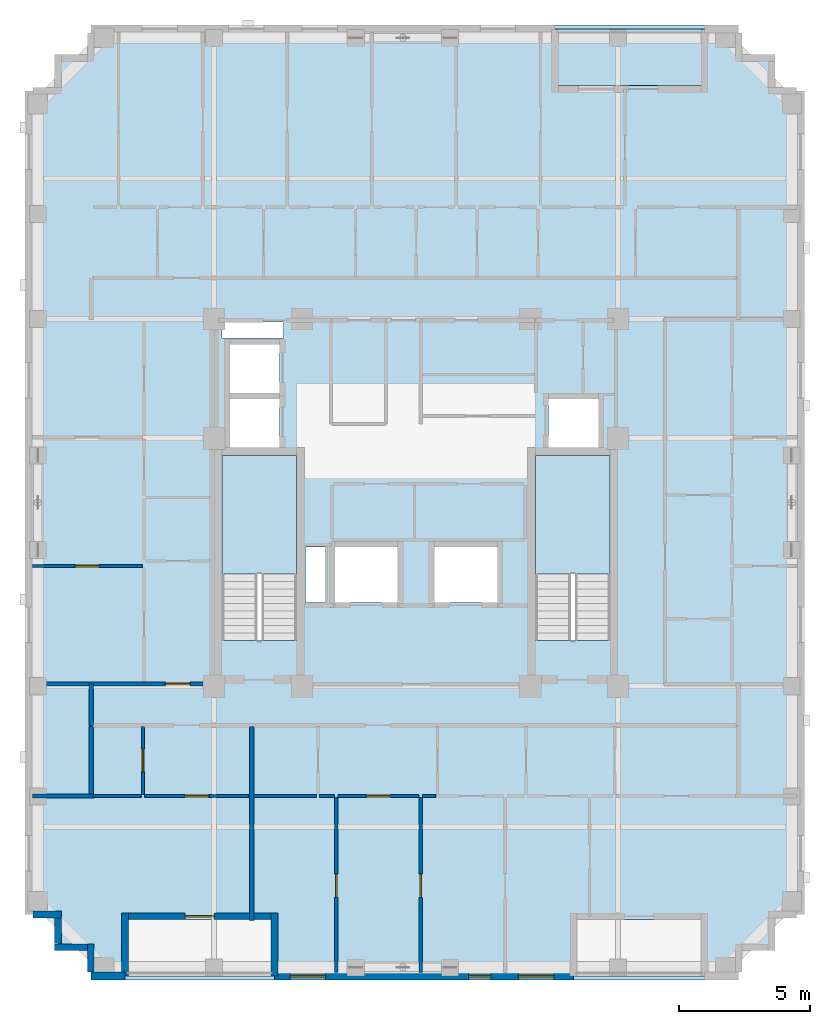
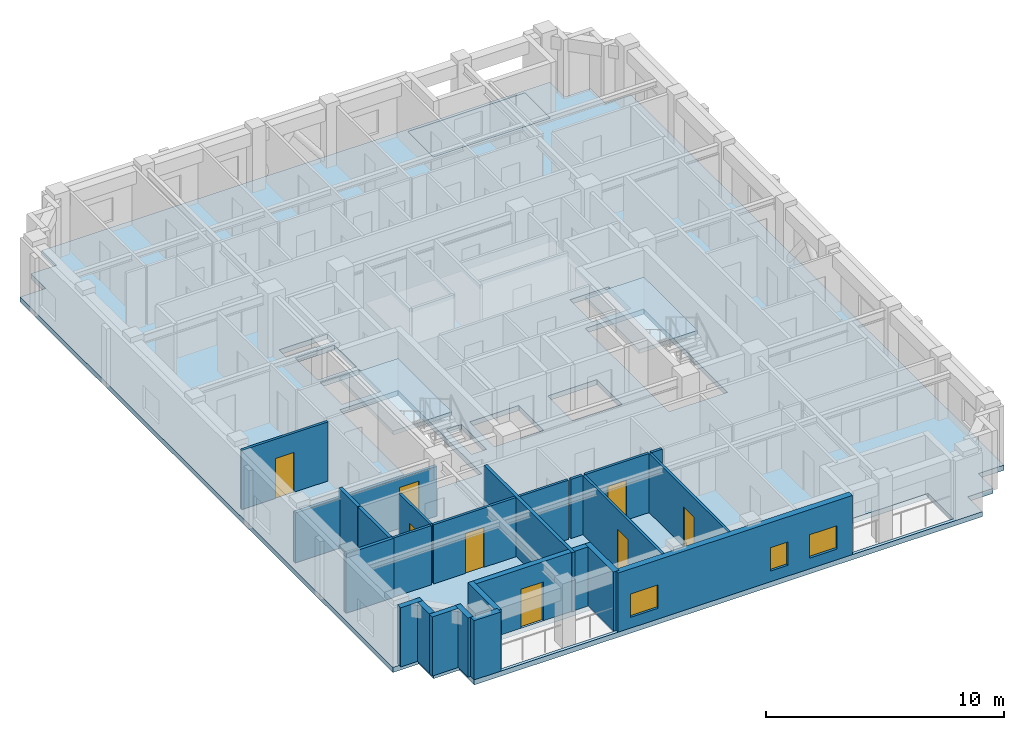
# One storey, part 2 of 11: 24 walls, 8 doors, 4 slabs, 3 windows, 11 openings, 2 elements without a shape of their own.
"""IFC4 building model written with IfcOpenShell, lengths in metres."""

from ifc_helpers import new_model, si_unit, derived_unit, direction, frame, frame_2d, origin, place, context, subcontext, project, spatial, polyline, rectangle, outline, extrude, material, layer, layer_set, type_object, element, fill, aggregate, save


model = new_model("IFC4")

# Units and contexts
model_context = context("Model", 3, precision=1e-05, world=origin(), true_north=direction((0.0, 1.0)))
body_context = subcontext(model_context, "Body", "Model", "MODEL_VIEW")
ifc_project = project(units=[si_unit("LENGTHUNIT", "METRE"), si_unit("AREAUNIT", "SQUARE_METRE"), si_unit("VOLUMEUNIT", "CUBIC_METRE"), si_unit("PLANEANGLEUNIT", "RADIAN"), si_unit("MASSUNIT", "GRAM", prefix="KILO"), derived_unit("THERMALTRANSMITTANCEUNIT", [(si_unit("MASSUNIT", "GRAM", prefix="KILO"), 1), (si_unit("TIMEUNIT", "SECOND"), -3), (si_unit("THERMODYNAMICTEMPERATUREUNIT", "KELVIN"), -1)])], contexts=[model_context])

# Site, building, storey
site_placement = place(None, origin())
site = spatial("IfcSite", under=ifc_project, at=site_placement, CompositionType="ELEMENT")
building_placement = place(site_placement, origin())
building = spatial("IfcBuilding", under=site, at=building_placement, Name="Korrvale Station Residences", CompositionType="ELEMENT")
storey_placement = place(building_placement, frame((0.0, 0.0, 194.199951171875)))
storey = spatial("IfcBuildingStorey", under=building, at=storey_placement, Name="L56", CompositionType="ELEMENT", Elevation=194.199951171875)

# Slabs
ifc_material_1 = material(Name="Concrete C50/60", Category="concrete")
ifc_layer_1 = layer(ifc_material_1, 0.219970703125, Name="Concrete C50/60")
ifc_layer_set_1 = layer_set([ifc_layer_1], Name="Concrete C50/60")
slab_type_1 = type_object("IfcSlabType", Name="SLB-BAL-220", PredefinedType="FLOOR", material=ifc_layer_set_1)
slab_1_placement = place(storey_placement, frame((0.0, 0.0, -0.219970703125)))
element("IfcSlab", 1, at=slab_1_placement, inside=storey, type_object=slab_type_1, Name="L56 Recessed Loggia Balcony Slab BAL-L56-N1", PredefinedType="FLOOR", context=body_context, shape_type="SweptSolid", body=[
    extrude(outline(polyline([(30.800048828125, 37.89990234375), (36.5, 37.89990234375), (36.5, 40.050048828125), (30.800048828125, 40.050048828125), (30.800048828125, 37.89990234375)])), origin(), (0.0, 0.0, 1.0), 0.219970703125),
])
ifc_layer_2 = layer(ifc_material_1, 0.260009765625, Name="Concrete C50/60")
ifc_layer_set_2 = layer_set([ifc_layer_2], Name="Concrete C50/60")
slab_type_2 = type_object("IfcSlabType", Name="SLB-FLR-260", PredefinedType="FLOOR", material=ifc_layer_set_2)
slab_2_placement = place(storey_placement, frame((0.0, 0.0, -0.260009765625)))
element("IfcSlab", 2, at=slab_2_placement, inside=storey, type_object=slab_type_2, Name="L56 Suspended Structural Floor Slab", PredefinedType="FLOOR", context=body_context, shape_type="SweptSolid", body=[
    extrude(outline(polyline([(13.10009765625, 3.800048828125), (37.800048828125, 3.800048828125), (37.800048828125, 5.050048828125), (39.050048828125, 5.050048828125), (39.050048828125, 6.300048828125), (40.300048828125, 6.300048828125), (40.300048828125, 37.699951171875), (39.050048828125, 37.699951171875), (39.050048828125, 38.949951171875), (37.800048828125, 38.949951171875), (37.800048828125, 40.199951171875), (13.10009765625, 40.199951171875), (13.10009765625, 38.949951171875), (11.85009765625, 38.949951171875), (11.85009765625, 37.699951171875), (10.60009765625, 37.699951171875), (10.60009765625, 6.300048828125), (11.85009765625, 6.300048828125), (11.85009765625, 5.050048828125), (13.10009765625, 5.050048828125), (13.10009765625, 3.800048828125)]), holes=[polyline([(20.949951171875, 16.751953125), (20.949951171875, 23.800048828125), (18.10009765625, 23.800048828125), (18.10009765625, 16.751953125), (20.949951171875, 16.751953125)]), polyline([(32.89990234375, 16.751953125), (32.89990234375, 23.800048828125), (30.050048828125, 23.800048828125), (30.050048828125, 16.751953125), (32.89990234375, 16.751953125)]), polyline([(18.39990234375, 24.10009765625), (20.300048828125, 24.10009765625), (20.300048828125, 25.949951171875), (18.39990234375, 25.949951171875), (18.39990234375, 24.10009765625)]), polyline([(18.39990234375, 26.169921875), (20.300048828125, 26.169921875), (20.300048828125, 28.02001953125), (18.39990234375, 28.02001953125), (18.39990234375, 26.169921875)]), polyline([(30.550048828125, 24.10009765625), (32.449951171875, 24.10009765625), (32.449951171875, 25.949951171875), (30.550048828125, 25.949951171875), (30.550048828125, 24.10009765625)]), polyline([(22.39990234375, 18.199951171875), (24.800048828125, 18.199951171875), (24.800048828125, 20.300048828125), (22.39990234375, 20.300048828125), (22.39990234375, 18.199951171875)]), polyline([(26.199951171875, 18.199951171875), (28.60009765625, 18.199951171875), (28.60009765625, 20.300048828125), (26.199951171875, 20.300048828125), (26.199951171875, 18.199951171875)]), polyline([(18.10009765625, 28.280029296875), (20.449951171875, 28.280029296875), (20.449951171875, 28.8798828125), (18.10009765625, 28.8798828125), (18.10009765625, 28.280029296875)]), polyline([(21.280029296875, 18.199951171875), (22.02001953125, 18.199951171875), (22.02001953125, 20.300048828125), (21.280029296875, 20.300048828125), (21.280029296875, 18.199951171875)]), polyline([(14.39990234375, 3.949951171875), (20.10009765625, 3.949951171875), (20.10009765625, 6.10009765625), (14.39990234375, 6.10009765625), (14.39990234375, 3.949951171875)]), polyline([(30.800048828125, 37.89990234375), (36.5, 37.89990234375), (36.5, 40.050048828125), (30.800048828125, 40.050048828125), (30.800048828125, 37.89990234375)]), polyline([(31.5, 3.949951171875), (36.5, 3.949951171875), (36.5, 6.10009765625), (31.5, 6.10009765625), (31.5, 3.949951171875)])]), origin(), (0.0, 0.0, 1.0), 0.260009765625),
])

# Stair, slab
stair_type = type_object("IfcStairType", Name="STR-DL-1350-20R-1650", PredefinedType="HALF_TURN_STAIR", material=ifc_material_1)
stair_1_placement = place(storey_placement, origin())
stair_1 = element("IfcStair", 3, at=stair_1_placement, inside=storey, type_object=stair_type, Name="L56 Exit Stair 1", PredefinedType="HALF_TURN_STAIR")
ifc_layer_3 = layer(ifc_material_1, 0.199951171875, Name="Concrete C50/60")
ifc_layer_set_3 = layer_set([ifc_layer_3], Name="Concrete C50/60")
slab_type_3 = type_object("IfcSlabType", Name="SLB-LND-200", PredefinedType="LANDING", material=ifc_layer_set_3)
slab_3_placement = place(storey_placement, frame((0.0, 0.0, 1.449951171875)))
slab_3 = element("IfcSlab", 4, at=slab_3_placement, type_object=slab_type_3, Name="ST-1 landing 1", PredefinedType="LANDING", context=body_context, shape_type="SweptSolid", body=[
    extrude(outline(polyline([(20.949951171875, 19.27001953125), (20.949951171875, 23.800048828125), (18.10009765625, 23.800048828125), (18.10009765625, 19.27001953125), (20.949951171875, 19.27001953125)])), origin(), (0.0, 0.0, 1.0), 0.2001953125),
])
aggregate(stair_1, [slab_3])

stair_2_placement = place(storey_placement, origin())
stair_2 = element("IfcStair", 5, at=stair_2_placement, inside=storey, type_object=stair_type, Name="L56 Exit Stair 2", PredefinedType="HALF_TURN_STAIR")
slab_4_placement = place(storey_placement, frame((0.0, 0.0, 1.449951171875)))
slab_4 = element("IfcSlab", 6, at=slab_4_placement, type_object=slab_type_3, Name="ST-2 landing 1", PredefinedType="LANDING", context=body_context, shape_type="SweptSolid", body=[
    extrude(outline(polyline([(32.89990234375, 19.27001953125), (32.89990234375, 23.800048828125), (30.050048828125, 23.800048828125), (30.050048828125, 19.27001953125), (32.89990234375, 19.27001953125)])), origin(), (0.0, 0.0, 1.0), 0.2001953125),
])
aggregate(stair_2, [slab_4])

# Wall
ifc_material_2 = material(Name="Precast concrete C45/55", Category="concrete")
ifc_layer_4 = layer(ifc_material_2, 0.260009765625, Name="Precast concrete C45/55")
ifc_layer_set_4 = layer_set([ifc_layer_4], Name="Precast concrete C45/55")
wall_type_1 = type_object("IfcWallType", Name="WAL-EXT-LOG260", PredefinedType="SOLIDWALL", material=ifc_layer_set_4)
wall_1_placement = place(storey_placement, frame((20.10009765625, 3.9599609375, 0.0), z_axis=(0.0, 0.0, 1.0), x_axis=(0.0, 1.0, 0.0)))
element("IfcWall", 7, at=wall_1_placement, inside=storey, type_object=wall_type_1, Name="L56 Recessed Loggia Wall BAL-L56-S1-L", PredefinedType="SOLIDWALL", context=body_context, shape_type="SweptSolid", body=[
    extrude(rectangle(XDim=2.400146484375, YDim=0.260009765625, at=frame_2d((1.2001953125, 0.0))), origin(), (0.0, 0.0, 1.0), 3.0400390625),
])

# Wall, opening, door
wall_2_placement = place(storey_placement, frame((19.966064453125, 6.22998046875, 0.0), z_axis=(0.0, 0.0, 1.0), x_axis=(-1.0, 0.0, 0.0)))
wall_2 = element("IfcWall", 8, at=wall_2_placement, inside=storey, type_object=wall_type_1, Name="L56 Recessed Loggia Wall BAL-L56-S1-B", PredefinedType="SOLIDWALL", context=body_context, shape_type="SweptSolid", body=[
    extrude(rectangle(XDim=5.43212890625, YDim=0.260009765625, at=frame_2d((2.716064453125, 0.0))), origin(), (0.0, 0.0, 1.0), 3.0400390625),
])
opening_1_placement = place(wall_2_placement, frame((2.166015625, 0.0, 0.0)))
opening_1 = element("IfcOpeningElement", 9, at=opening_1_placement, cuts=wall_2, Name="Opening BD-01", PredefinedType="OPENING", context=body_context, shape_type="SweptSolid", body=[
    extrude(rectangle(XDim=1.10009765625, YDim=2.0, at=frame_2d((0.550048828125, 1.0))), frame((0.0, 0.14013671875, 0.0), z_axis=(0.0, -1.0, 0.0), x_axis=(1.0, 0.0, 0.0)), (0.0, 0.0, 1.0), 0.280029296875),
])
ifc_material_3 = material(Name="Exterior thermally broken aluminium glazed balcony door", Category="aluminium")
door_type_1 = type_object("IfcDoorType", Name="DR-EXT-BAL", OperationType="NOTDEFINED", PredefinedType="DOOR", material=ifc_material_3)
door_1_placement = place(opening_1_placement, origin())
door_1 = element("IfcDoor", 10, at=door_1_placement, inside=storey, type_object=door_type_1, Name="L56 Loggia Balcony Door BAL-L56-S1", OperationType="SINGLE_SWING_RIGHT", OverallHeight=2.0, OverallWidth=1.10009765625, PredefinedType="DOOR", context=body_context, shape_type="SweptSolid", body=[
    extrude(rectangle(XDim=1.10009765625, YDim=2.0, at=frame_2d((0.550048828125, 1.0))), frame((0.0, 0.02490234375, 0.0), z_axis=(0.0, -1.0, 0.0), x_axis=(1.0, 0.0, 0.0)), (0.0, 0.0, 1.0), 0.050048828125),
])
fill(opening_1, door_1)

# Walls
wall_3_placement = place(storey_placement, frame((14.39990234375, 6.360107421875, 0.0), z_axis=(0.0, 0.0, 1.0), x_axis=(0.0, -1.0, 0.0)))
element("IfcWall", 11, at=wall_3_placement, inside=storey, type_object=wall_type_1, Name="L56 Recessed Loggia Wall BAL-L56-S1-R", PredefinedType="SOLIDWALL", context=body_context, shape_type="SweptSolid", body=[
    extrude(rectangle(XDim=2.400146484375, YDim=0.260009765625, at=frame_2d((1.2001953125, 0.0))), origin(), (0.0, 0.0, 1.0), 3.0400390625),
])
wall_4_placement = place(storey_placement, frame((13.10009765625, 4.10205078125, 0.0), z_axis=(0.0, 0.0, 1.0), x_axis=(0.0, 1.0, 0.0)))
element("IfcWall", 12, at=wall_4_placement, inside=storey, type_object=wall_type_1, Name="L56 Serrated Corner Precast Step SW-1", PredefinedType="SOLIDWALL", context=body_context, shape_type="SweptSolid", body=[
    extrude(rectangle(XDim=1.077880859375, YDim=0.260009765625, at=frame_2d((0.5390625, 0.0))), origin(), (0.0, 0.0, 1.0), 3.0400390625),
])
wall_5_placement = place(storey_placement, frame((12.968017578125, 5.050048828125, 0.0), z_axis=(0.0, 0.0, 1.0), x_axis=(-1.0, 0.0, 0.0)))
element("IfcWall", 13, at=wall_5_placement, inside=storey, type_object=wall_type_1, Name="L56 Serrated Corner Precast Step SW-2", PredefinedType="SOLIDWALL", context=body_context, shape_type="SweptSolid", body=[
    extrude(rectangle(XDim=1.248046875, YDim=0.260009765625, at=frame_2d((0.6240234375, 0.0))), origin(), (0.0, 0.0, 1.0), 3.0400390625),
])
wall_6_placement = place(storey_placement, frame((11.85009765625, 5.181884765625, 0.0), z_axis=(0.0, 0.0, 1.0), x_axis=(0.0, 1.0, 0.0)))
element("IfcWall", 14, at=wall_6_placement, inside=storey, type_object=wall_type_1, Name="L56 Serrated Corner Precast Step SW-3", PredefinedType="SOLIDWALL", context=body_context, shape_type="SweptSolid", body=[
    extrude(rectangle(XDim=0.986083984375, YDim=0.260009765625, at=frame_2d((0.4931640625, 0.0))), origin(), (0.0, 0.0, 1.0), 3.0400390625),
])
wall_7_placement = place(storey_placement, frame((11.97998046875, 6.300048828125, 0.0), z_axis=(0.0, 0.0, 1.0), x_axis=(-1.0, 0.0, 0.0)))
element("IfcWall", 15, at=wall_7_placement, inside=storey, type_object=wall_type_1, Name="L56 Serrated Corner Precast Step SW-4", PredefinedType="SOLIDWALL", context=body_context, shape_type="SweptSolid", body=[
    extrude(rectangle(XDim=1.077880859375, YDim=0.260009765625, at=frame_2d((0.5390625, 0.0))), origin(), (0.0, 0.0, 1.0), 3.0400390625),
])

# Wall, openings, windows
ifc_layer_5 = layer(ifc_material_2, 0.300048828125, Name="Precast concrete C45/55")
ifc_layer_set_5 = layer_set([ifc_layer_5], Name="Precast concrete C45/55")
wall_type_2 = type_object("IfcWallType", Name="WAL-EXT-PC300", PredefinedType="SOLIDWALL", material=ifc_layer_set_5)
wall_8_placement = place(storey_placement, frame((31.5, 3.949951171875, 0.0), z_axis=(0.0, 0.0, 1.0), x_axis=(-1.0, 0.0, 0.0)))
wall_8 = element("IfcWall", 16, at=wall_8_placement, inside=storey, type_object=wall_type_2, Name="L56 South Exterior Precast Wall 2", PredefinedType="SOLIDWALL", context=body_context, shape_type="SweptSolid", body=[
    extrude(rectangle(XDim=11.39990234375, YDim=0.300048828125, at=frame_2d((5.699951171875, 0.0))), origin(), (0.0, 0.0, 1.0), 3.0400390625),
])
opening_2_placement = place(wall_8_placement, frame((9.449951171875, 0.0, 0.550048828125)))
opening_2 = element("IfcOpeningElement", 17, at=opening_2_placement, cuts=wall_8, Name="Opening W-10", PredefinedType="OPENING", context=body_context, shape_type="SweptSolid", body=[
    extrude(rectangle(XDim=1.35009765625, YDim=1.199951171875, at=frame_2d((0.675048828125, 0.60009765625))), frame((0.0, 0.16015625, 0.0), z_axis=(0.0, -1.0, 0.0), x_axis=(1.0, 0.0, 0.0)), (0.0, 0.0, 1.0), 0.320068359375),
])
opening_3_placement = place(wall_8_placement, frame((3.14990234375, 0.0, 0.550048828125)))
opening_3 = element("IfcOpeningElement", 18, at=opening_3_placement, cuts=wall_8, Name="Opening W-11", PredefinedType="OPENING", context=body_context, shape_type="SweptSolid", body=[
    extrude(rectangle(XDim=0.85009765625, YDim=1.199951171875, at=frame_2d((0.425048828125, 0.60009765625))), frame((0.0, 0.16015625, 0.0), z_axis=(0.0, -1.0, 0.0), x_axis=(1.0, 0.0, 0.0)), (0.0, 0.0, 1.0), 0.320068359375),
])
opening_4_placement = place(wall_8_placement, frame((0.75, 0.0, 0.550048828125)))
opening_4 = element("IfcOpeningElement", 19, at=opening_4_placement, cuts=wall_8, Name="Opening W-10", PredefinedType="OPENING", context=body_context, shape_type="SweptSolid", body=[
    extrude(rectangle(XDim=1.35009765625, YDim=1.199951171875, at=frame_2d((0.675048828125, 0.60009765625))), frame((0.0, 0.16015625, 0.0), z_axis=(0.0, -1.0, 0.0), x_axis=(1.0, 0.0, 0.0)), (0.0, 0.0, 1.0), 0.320068359375),
])
ifc_material_4 = material(Name="Thermally broken aluminium frame with triple low-e glazing", Category="aluminium")
window_type_1 = type_object("IfcWindowType", Name="WIN-W10", PartitioningType="SINGLE_PANEL", PredefinedType="WINDOW", material=ifc_material_4)
window_1_placement = place(opening_2_placement, origin())
window_1 = element("IfcWindow", 20, at=window_1_placement, inside=storey, type_object=window_type_1, Name="L56 Punched Window 02", OverallHeight=1.199951171875, OverallWidth=1.35009765625, PartitioningType="SINGLE_PANEL", PredefinedType="WINDOW", context=body_context, shape_type="SweptSolid", body=[
    extrude(rectangle(XDim=1.35009765625, YDim=1.199951171875, at=frame_2d((0.675048828125, 0.60009765625))), frame((0.0, 0.030029296875, 0.0), z_axis=(0.0, -1.0, 0.0), x_axis=(1.0, 0.0, 0.0)), (0.0, 0.0, 1.0), 0.06005859375),
])
fill(opening_2, window_1)
window_2_placement = place(opening_4_placement, origin())
window_2 = element("IfcWindow", 21, at=window_2_placement, inside=storey, type_object=window_type_1, Name="L56 Punched Window 04", OverallHeight=1.199951171875, OverallWidth=1.35009765625, PartitioningType="SINGLE_PANEL", PredefinedType="WINDOW", context=body_context, shape_type="SweptSolid", body=[
    extrude(rectangle(XDim=1.35009765625, YDim=1.199951171875, at=frame_2d((0.675048828125, 0.60009765625))), frame((0.0, 0.030029296875, 0.0), z_axis=(0.0, -1.0, 0.0), x_axis=(1.0, 0.0, 0.0)), (0.0, 0.0, 1.0), 0.06005859375),
])
fill(opening_4, window_2)
window_type_2 = type_object("IfcWindowType", Name="WIN-W11", PartitioningType="SINGLE_PANEL", PredefinedType="WINDOW", material=ifc_material_4)
window_3_placement = place(opening_3_placement, origin())
window_3 = element("IfcWindow", 22, at=window_3_placement, inside=storey, type_object=window_type_2, Name="L56 Punched Window 03", OverallHeight=1.199951171875, OverallWidth=0.85009765625, PartitioningType="SINGLE_PANEL", PredefinedType="WINDOW", context=body_context, shape_type="SweptSolid", body=[
    extrude(rectangle(XDim=0.85009765625, YDim=1.199951171875, at=frame_2d((0.425048828125, 0.60009765625))), frame((0.0, 0.030029296875, 0.0), z_axis=(0.0, -1.0, 0.0), x_axis=(1.0, 0.0, 0.0)), (0.0, 0.0, 1.0), 0.06005859375),
])
fill(opening_3, window_3)

# Wall
wall_9_placement = place(storey_placement, frame((14.39990234375, 3.949951171875, 0.0), z_axis=(0.0, 0.0, 1.0), x_axis=(-1.0, 0.0, 0.0)))
element("IfcWall", 23, at=wall_9_placement, inside=storey, type_object=wall_type_2, Name="L56 South Exterior Precast Wall 3", PredefinedType="SOLIDWALL", context=body_context, shape_type="SweptSolid", body=[
    extrude(rectangle(XDim=1.2998046875, YDim=0.300048828125, at=frame_2d((0.64990234375, 0.0))), origin(), (0.0, 0.0, 1.0), 3.0400390625),
])

# Wall, opening, door
ifc_material_5 = material(Name="Acoustic steel-stud gypsum board partition", Category="steel")
ifc_layer_6 = layer(ifc_material_5, 0.1201171875, Name="Acoustic steel-stud gypsum board partition")
ifc_layer_set_6 = layer_set([ifc_layer_6], Name="Acoustic steel-stud gypsum board partition")
wall_type_3 = type_object("IfcWallType", Name="WAL-PART-125", PredefinedType="PARTITIONING", material=ifc_layer_set_6)
wall_10_placement = place(storey_placement, frame((15.090087890625, 10.8701171875, 0.0), z_axis=(0.0, 0.0, 1.0), x_axis=(0.0, 1.0, 0.0)))
wall_10 = element("IfcWall", 24, at=wall_10_placement, inside=storey, type_object=wall_type_3, Name="L56 Suite Partition U01-V01", PredefinedType="PARTITIONING", context=body_context, shape_type="SweptSolid", body=[
    extrude(rectangle(XDim=2.599853515625, YDim=0.1201171875, at=frame_2d((1.2998046875, 0.0))), origin(), (0.0, 0.0, 1.0), 3.0400390625),
])
opening_5_placement = place(wall_10_placement, frame((0.8701171875, 0.0, 0.0)))
opening_5 = element("IfcOpeningElement", 25, at=opening_5_placement, cuts=wall_10, Name="Opening DB-860", PredefinedType="OPENING", context=body_context, shape_type="SweptSolid", body=[
    extrude(rectangle(XDim=0.860107421875, YDim=2.050048828125, at=frame_2d((0.43017578125, 1.02490234375))), frame((0.0, 0.070068359375, 0.0), z_axis=(0.0, -1.0, 0.0), x_axis=(1.0, 0.0, 0.0)), (0.0, 0.0, 1.0), 0.14013671875),
])
ifc_material_6 = material(Name="Moisture-resistant solid-core bathroom door", Category="timber")
door_type_2 = type_object("IfcDoorType", Name="DR-BATH-860", OperationType="NOTDEFINED", PredefinedType="DOOR", material=ifc_material_6)
door_2_placement = place(opening_5_placement, origin())
door_2 = element("IfcDoor", 26, at=door_2_placement, inside=storey, type_object=door_type_2, Name="L56 Studio Apartment L56-U01 Bathroom Door", OperationType="SINGLE_SWING_LEFT", OverallHeight=2.050048828125, OverallWidth=0.860107421875, PredefinedType="DOOR", context=body_context, shape_type="SweptSolid", body=[
    extrude(rectangle(XDim=0.860107421875, YDim=2.050048828125, at=frame_2d((0.43017578125, 1.02490234375))), frame((0.0, 0.02490234375, 0.0), z_axis=(0.0, -1.0, 0.0), x_axis=(1.0, 0.0, 0.0)), (0.0, 0.0, 1.0), 0.050048828125),
])
fill(opening_5, door_2)

# Wall
wall_11_placement = place(storey_placement, frame((13.179931640625, 10.81005859375, 0.0), z_axis=(0.0, 0.0, 1.0), x_axis=(1.0, 0.0, 0.0)))
element("IfcWall", 27, at=wall_11_placement, inside=storey, type_object=wall_type_3, Name="L56 Suite Partition U01-H02", PredefinedType="PARTITIONING", context=body_context, shape_type="SweptSolid", body=[
    extrude(rectangle(XDim=1.85009765625, YDim=0.1201171875, at=frame_2d((0.925048828125, 0.0))), origin(), (0.0, 0.0, 1.0), 3.0400390625),
])

# Wall, opening, door
wall_12_placement = place(storey_placement, frame((15.14990234375, 10.81005859375, 0.0), z_axis=(0.0, 0.0, 1.0), x_axis=(1.0, 0.0, 0.0)))
wall_12 = element("IfcWall", 28, at=wall_12_placement, inside=storey, type_object=wall_type_3, Name="L56 Suite Partition U01-H12", PredefinedType="PARTITIONING", context=body_context, shape_type="SweptSolid", body=[
    extrude(rectangle(XDim=3.989013671875, YDim=0.1201171875, at=frame_2d((1.99462890625, 0.0))), origin(), (0.0, 0.0, 1.0), 3.0400390625),
])
opening_6_placement = place(wall_12_placement, frame((1.5439453125, 0.0, 0.0)))
opening_6 = element("IfcOpeningElement", 29, at=opening_6_placement, cuts=wall_12, Name="Opening DI-900", PredefinedType="OPENING", context=body_context, shape_type="SweptSolid", body=[
    extrude(rectangle(XDim=0.89990234375, YDim=2.050048828125, at=frame_2d((0.449951171875, 1.02490234375))), frame((0.0, 0.070068359375, 0.0), z_axis=(0.0, -1.0, 0.0), x_axis=(1.0, 0.0, 0.0)), (0.0, 0.0, 1.0), 0.14013671875),
])
ifc_material_7 = material(Name="Painted solid-core timber interior room door", Category="wood")
door_type_3 = type_object("IfcDoorType", Name="DR-INT-900", OperationType="NOTDEFINED", PredefinedType="DOOR", material=ifc_material_7)
door_3_placement = place(opening_6_placement, origin())
door_3 = element("IfcDoor", 30, at=door_3_placement, inside=storey, type_object=door_type_3, Name="L56 Studio Apartment L56-U01 Kitchen Door", OperationType="SINGLE_SWING_RIGHT", OverallHeight=2.050048828125, OverallWidth=0.89990234375, PredefinedType="DOOR", context=body_context, shape_type="SweptSolid", body=[
    extrude(rectangle(XDim=0.89990234375, YDim=2.050048828125, at=frame_2d((0.449951171875, 1.02490234375))), frame((0.0, 0.02490234375, 0.0), z_axis=(0.0, -1.0, 0.0), x_axis=(1.0, 0.0, 0.0)), (0.0, 0.0, 1.0), 0.050048828125),
])
fill(opening_6, door_3)

# Walls
wall_13_placement = place(storey_placement, frame((19.299072265625, 10.81005859375, 0.0), z_axis=(0.0, 0.0, 1.0), x_axis=(1.0, 0.0, 0.0)))
element("IfcWall", 31, at=wall_13_placement, inside=storey, type_object=wall_type_3, Name="L56 Suite Partition U02-H05", PredefinedType="PARTITIONING", context=body_context, shape_type="SweptSolid", body=[
    extrude(rectangle(XDim=2.39990234375, YDim=0.1201171875, at=frame_2d((1.199951171875, 0.0))), origin(), (0.0, 0.0, 1.0), 3.0400390625),
])
wall_14_placement = place(storey_placement, frame((21.819091796875, 10.81005859375, 0.0), z_axis=(0.0, 0.0, 1.0), x_axis=(1.0, 0.0, 0.0)))
element("IfcWall", 32, at=wall_14_placement, inside=storey, type_object=wall_type_3, Name="L56 Suite Partition U02-H15", PredefinedType="PARTITIONING", context=body_context, shape_type="SweptSolid", body=[
    extrude(rectangle(XDim=0.579833984375, YDim=0.1201171875, at=frame_2d((0.2900390625, 0.0))), origin(), (0.0, 0.0, 1.0), 3.0400390625),
])

# Wall, opening, door
wall_15_placement = place(storey_placement, frame((22.51904296875, 10.81005859375, 0.0), z_axis=(0.0, 0.0, 1.0), x_axis=(1.0, 0.0, 0.0)))
wall_15 = element("IfcWall", 33, at=wall_15_placement, inside=storey, type_object=wall_type_3, Name="L56 Suite Partition U02-H16", PredefinedType="PARTITIONING", context=body_context, shape_type="SweptSolid", body=[
    extrude(rectangle(XDim=3.099853515625, YDim=0.1201171875, at=frame_2d((1.5498046875, 0.0))), origin(), (0.0, 0.0, 1.0), 3.0400390625),
])
opening_7_placement = place(wall_15_placement, frame((1.10009765625, 0.0, 0.0)))
opening_7 = element("IfcOpeningElement", 34, at=opening_7_placement, cuts=wall_15, Name="Opening DI-900", PredefinedType="OPENING", context=body_context, shape_type="SweptSolid", body=[
    extrude(rectangle(XDim=0.89990234375, YDim=2.050048828125, at=frame_2d((0.449951171875, 1.02490234375))), frame((0.0, 0.070068359375, 0.0), z_axis=(0.0, -1.0, 0.0), x_axis=(1.0, 0.0, 0.0)), (0.0, 0.0, 1.0), 0.14013671875),
])
door_4_placement = place(opening_7_placement, origin())
door_4 = element("IfcDoor", 35, at=door_4_placement, inside=storey, type_object=door_type_3, Name="L56 Studio Apartment L56-U02 Kitchen Door", OperationType="SINGLE_SWING_LEFT", OverallHeight=2.050048828125, OverallWidth=0.89990234375, PredefinedType="DOOR", context=body_context, shape_type="SweptSolid", body=[
    extrude(rectangle(XDim=0.89990234375, YDim=2.050048828125, at=frame_2d((0.449951171875, 1.02490234375))), frame((0.0, 0.02490234375, 0.0), z_axis=(0.0, -1.0, 0.0), x_axis=(1.0, 0.0, 0.0)), (0.0, 0.0, 1.0), 0.050048828125),
])
fill(opening_7, door_4)

# Wall
wall_16_placement = place(storey_placement, frame((25.739013671875, 10.81005859375, 0.0), z_axis=(0.0, 0.0, 1.0), x_axis=(1.0, 0.0, 0.0)))
element("IfcWall", 36, at=wall_16_placement, inside=storey, type_object=wall_type_3, Name="L56 Suite Partition U02-H17", PredefinedType="PARTITIONING", context=body_context, shape_type="SweptSolid", body=[
    extrude(rectangle(XDim=0.52001953125, YDim=0.1201171875, at=frame_2d((0.260009765625, 0.0))), origin(), (0.0, 0.0, 1.0), 3.0400390625),
])

# Wall, opening, door
wall_17_placement = place(storey_placement, frame((22.458984375, 4.080078125, 0.0), z_axis=(0.0, 0.0, 1.0), x_axis=(0.0, 1.0, 0.0)))
wall_17 = element("IfcWall", 37, at=wall_17_placement, inside=storey, type_object=wall_type_3, Name="L56 Suite Partition U02-V56", PredefinedType="PARTITIONING", context=body_context, shape_type="SweptSolid", body=[
    extrude(rectangle(XDim=6.669921875, YDim=0.1201171875, at=frame_2d((3.3349609375, 0.0))), origin(), (0.0, 0.0, 1.0), 3.0400390625),
])
opening_8_placement = place(wall_17_placement, frame((2.8701171875, 0.0, 0.0)))
opening_8 = element("IfcOpeningElement", 38, at=opening_8_placement, cuts=wall_17, Name="Opening DI-900", PredefinedType="OPENING", context=body_context, shape_type="SweptSolid", body=[
    extrude(rectangle(XDim=0.89990234375, YDim=2.050048828125, at=frame_2d((0.449951171875, 1.02490234375))), frame((0.0, 0.070068359375, 0.0), z_axis=(0.0, -1.0, 0.0), x_axis=(1.0, 0.0, 0.0)), (0.0, 0.0, 1.0), 0.14013671875),
])
door_5_placement = place(opening_8_placement, origin())
door_5 = element("IfcDoor", 39, at=door_5_placement, inside=storey, type_object=door_type_3, Name="L56 Studio Apartment L56-U02 Formal Dining Room Door", OperationType="SINGLE_SWING_LEFT", OverallHeight=2.050048828125, OverallWidth=0.89990234375, PredefinedType="DOOR", context=body_context, shape_type="SweptSolid", body=[
    extrude(rectangle(XDim=0.89990234375, YDim=2.050048828125, at=frame_2d((0.449951171875, 1.02490234375))), frame((0.0, 0.02490234375, 0.0), z_axis=(0.0, -1.0, 0.0), x_axis=(1.0, 0.0, 0.0)), (0.0, 0.0, 1.0), 0.050048828125),
])
fill(opening_8, door_5)

wall_18_placement = place(storey_placement, frame((25.678955078125, 4.080078125, 0.0), z_axis=(0.0, 0.0, 1.0), x_axis=(0.0, 1.0, 0.0)))
wall_18 = element("IfcWall", 40, at=wall_18_placement, inside=storey, type_object=wall_type_3, Name="L56 Suite Partition U02-V67", PredefinedType="PARTITIONING", context=body_context, shape_type="SweptSolid", body=[
    extrude(rectangle(XDim=6.669921875, YDim=0.1201171875, at=frame_2d((3.3349609375, 0.0))), origin(), (0.0, 0.0, 1.0), 3.0400390625),
])
opening_9_placement = place(wall_18_placement, frame((2.8701171875, 0.0, 0.0)))
opening_9 = element("IfcOpeningElement", 41, at=opening_9_placement, cuts=wall_18, Name="Opening DI-900", PredefinedType="OPENING", context=body_context, shape_type="SweptSolid", body=[
    extrude(rectangle(XDim=0.89990234375, YDim=2.050048828125, at=frame_2d((0.449951171875, 1.02490234375))), frame((0.0, 0.070068359375, 0.0), z_axis=(0.0, -1.0, 0.0), x_axis=(1.0, 0.0, 0.0)), (0.0, 0.0, 1.0), 0.14013671875),
])
door_6_placement = place(opening_9_placement, origin())
door_6 = element("IfcDoor", 42, at=door_6_placement, inside=storey, type_object=door_type_3, Name="L56 Studio Apartment L56-U02 Walk-In Wardrobe Door", OperationType="SINGLE_SWING_RIGHT", OverallHeight=2.050048828125, OverallWidth=0.89990234375, PredefinedType="DOOR", context=body_context, shape_type="SweptSolid", body=[
    extrude(rectangle(XDim=0.89990234375, YDim=2.050048828125, at=frame_2d((0.449951171875, 1.02490234375))), frame((0.0, 0.02490234375, 0.0), z_axis=(0.0, -1.0, 0.0), x_axis=(1.0, 0.0, 0.0)), (0.0, 0.0, 1.0), 0.050048828125),
])
fill(opening_9, door_6)

wall_19_placement = place(storey_placement, frame((10.8798828125, 19.577880859375, 0.0), z_axis=(0.0, 0.0, 1.0), x_axis=(1.0, 0.0, 0.0)))
wall_19 = element("IfcWall", 43, at=wall_19_placement, inside=storey, type_object=wall_type_3, Name="L56 Suite Partition U04-H34", PredefinedType="PARTITIONING", context=body_context, shape_type="SweptSolid", body=[
    extrude(rectangle(XDim=4.190185546875, YDim=0.1201171875, at=frame_2d((2.09521484375, 0.0))), origin(), (0.0, 0.0, 1.0), 3.0400390625),
])
opening_10_placement = place(wall_19_placement, frame((1.6298828125, 0.0, 0.0)))
opening_10 = element("IfcOpeningElement", 44, at=opening_10_placement, cuts=wall_19, Name="Opening DI-900", PredefinedType="OPENING", context=body_context, shape_type="SweptSolid", body=[
    extrude(rectangle(XDim=0.89990234375, YDim=2.050048828125, at=frame_2d((0.449951171875, 1.02490234375))), frame((0.0, 0.070068359375, 0.0), z_axis=(0.0, -1.0, 0.0), x_axis=(1.0, 0.0, 0.0)), (0.0, 0.0, 1.0), 0.14013671875),
])
door_7_placement = place(opening_10_placement, origin())
door_7 = element("IfcDoor", 45, at=door_7_placement, inside=storey, type_object=door_type_3, Name="L56 Apartment 2BR L56-U04 Bedroom 1 Door", OperationType="SINGLE_SWING_RIGHT", OverallHeight=2.050048828125, OverallWidth=0.89990234375, PredefinedType="DOOR", context=body_context, shape_type="SweptSolid", body=[
    extrude(rectangle(XDim=0.89990234375, YDim=2.050048828125, at=frame_2d((0.449951171875, 1.02490234375))), frame((0.0, 0.02490234375, 0.0), z_axis=(0.0, -1.0, 0.0), x_axis=(1.0, 0.0, 0.0)), (0.0, 0.0, 1.0), 0.050048828125),
])
fill(opening_10, door_7)

# Walls
ifc_material_8 = material(Name="Fire-rated twin-stud gypsum and mineral wool shaftwall assembly", Category="gypsum")
ifc_layer_7 = layer(ifc_material_8, 0.159912109375, Name="Fire-rated twin-stud gypsum and mineral wool shaftwall assembly")
ifc_layer_set_7 = layer_set([ifc_layer_7], Name="Fire-rated twin-stud gypsum and mineral wool shaftwall assembly")
wall_type_4 = type_object("IfcWallType", Name="WAL-PART-200", PredefinedType="PARTITIONING", material=ifc_layer_set_7)
wall_20_placement = place(storey_placement, frame((13.1201171875, 13.510009765625, 0.0), z_axis=(0.0, 0.0, 1.0), x_axis=(0.0, 1.0, 0.0)))
element("IfcWall", 46, at=wall_20_placement, inside=storey, type_object=wall_type_4, Name="L56 Corridor South West Cap", PredefinedType="PARTITIONING", context=body_context, shape_type="SweptSolid", body=[
    extrude(rectangle(XDim=1.580078125, YDim=0.159912109375, at=frame_2d((0.7900390625, 0.0))), origin(), (0.0, 0.0, 1.0), 3.0400390625),
])
wall_21_placement = place(storey_placement, frame((10.8798828125, 10.81005859375, 0.0), z_axis=(0.0, 0.0, 1.0), x_axis=(1.0, 0.0, 0.0)))
element("IfcWall", 47, at=wall_21_placement, inside=storey, type_object=wall_type_4, Name="L56 Corner Step Wall U01-L", PredefinedType="PARTITIONING", context=body_context, shape_type="SweptSolid", body=[
    extrude(rectangle(XDim=2.340087890625, YDim=0.159912109375, at=frame_2d((1.169921875, 0.0))), origin(), (0.0, 0.0, 1.0), 3.0400390625),
])
wall_22_placement = place(storey_placement, frame((13.1201171875, 10.81005859375, 0.0), z_axis=(0.0, 0.0, 1.0), x_axis=(0.0, 1.0, 0.0)))
element("IfcWall", 48, at=wall_22_placement, inside=storey, type_object=wall_type_4, Name="L56 Corner Step Cheek U01-L", PredefinedType="PARTITIONING", context=body_context, shape_type="SweptSolid", body=[
    extrude(rectangle(XDim=2.659912109375, YDim=0.159912109375, at=frame_2d((1.330078125, 0.0))), origin(), (0.0, 0.0, 1.0), 3.0400390625),
])
wall_23_placement = place(storey_placement, frame((19.239013671875, 6.06005859375, 0.0), z_axis=(0.0, 0.0, 1.0), x_axis=(0.0, 1.0, 0.0)))
element("IfcWall", 49, at=wall_23_placement, inside=storey, type_object=wall_type_4, Name="L56 Demising Wall U02-W", PredefinedType="PARTITIONING", context=body_context, shape_type="SweptSolid", body=[
    extrude(rectangle(XDim=7.409912109375, YDim=0.159912109375, at=frame_2d((3.705078125, 0.0))), origin(), (0.0, 0.0, 1.0), 3.0400390625),
])

# Wall, opening, door
wall_24_placement = place(storey_placement, frame((10.8798828125, 15.080078125, 0.0), z_axis=(0.0, 0.0, 1.0), x_axis=(1.0, 0.0, 0.0)))
wall_24 = element("IfcWall", 50, at=wall_24_placement, inside=storey, type_object=wall_type_4, Name="L56 Side Suite South Entry Wall U04", PredefinedType="PARTITIONING", context=body_context, shape_type="SweptSolid", body=[
    extrude(rectangle(XDim=6.880126953125, YDim=0.159912109375, at=frame_2d((3.43994140625, 0.0))), origin(), (0.0, 0.0, 1.0), 2.55615234375),
])
opening_11_placement = place(wall_24_placement, frame((5.06005859375, 0.0, 0.0)))
opening_11 = element("IfcOpeningElement", 51, at=opening_11_placement, cuts=wall_24, Name="Opening UD-950", PredefinedType="OPENING", context=body_context, shape_type="SweptSolid", body=[
    extrude(rectangle(XDim=0.949951171875, YDim=2.10009765625, at=frame_2d((0.47509765625, 1.050048828125))), frame((0.0, 0.08984375, 0.0), z_axis=(0.0, -1.0, 0.0), x_axis=(1.0, 0.0, 0.0)), (0.0, 0.0, 1.0), 0.179931640625),
])
ifc_material_9 = material(Name="Solid-core acoustic oak apartment entrance door", Category="timber")
door_type_4 = type_object("IfcDoorType", Name="DR-UNIT-950", OperationType="NOTDEFINED", PredefinedType="DOOR", material=ifc_material_9)
door_8_placement = place(opening_11_placement, origin())
door_8 = element("IfcDoor", 52, at=door_8_placement, inside=storey, type_object=door_type_4, Name="L56 Apartment L56-U04 Entrance Door", OperationType="SINGLE_SWING_LEFT", OverallHeight=2.10009765625, OverallWidth=0.949951171875, PredefinedType="DOOR", context=body_context, shape_type="SweptSolid", body=[
    extrude(rectangle(XDim=0.949951171875, YDim=2.10009765625, at=frame_2d((0.47509765625, 1.050048828125))), frame((0.0, 0.02490234375, 0.0), z_axis=(0.0, -1.0, 0.0), x_axis=(1.0, 0.0, 0.0)), (0.0, 0.0, 1.0), 0.050048828125),
])
fill(opening_11, door_8)

save(model, "model.ifc")
